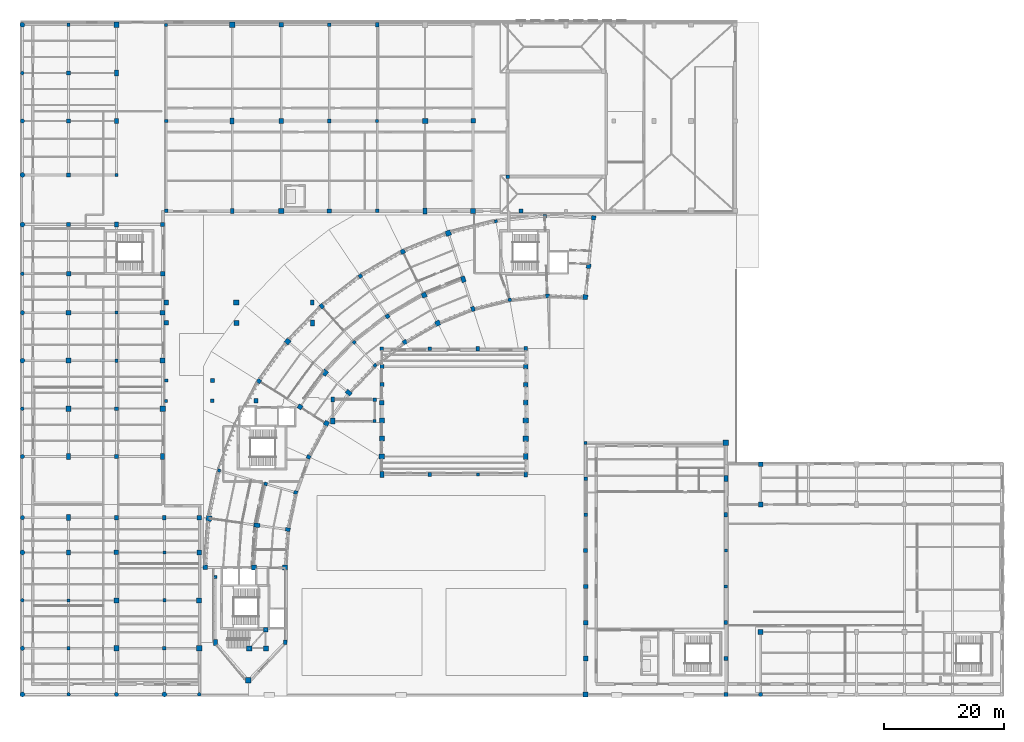
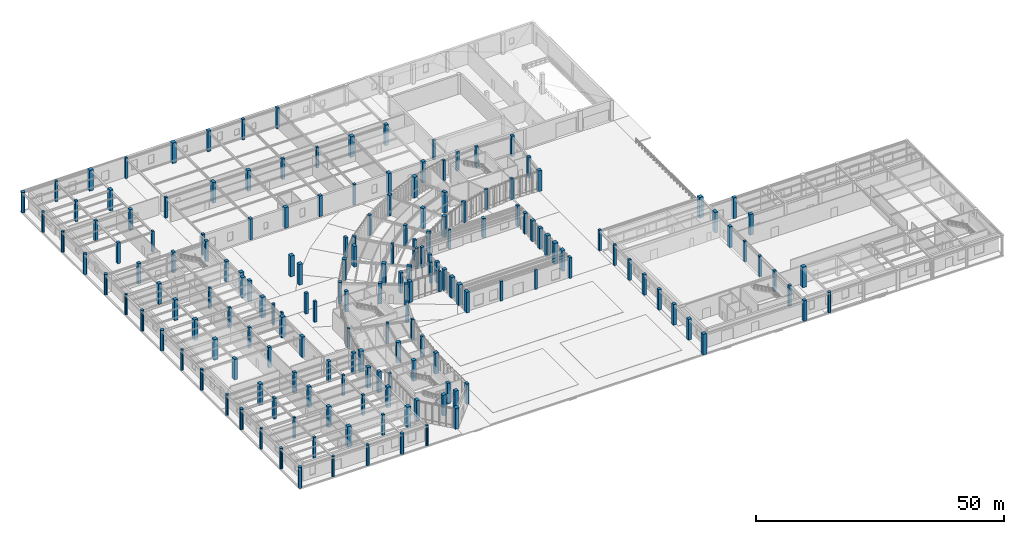
# One storey, part 1 of 68: 178 columns.
"""IFC4 building model written with IfcOpenShell, lengths in metres."""

from ifc_helpers import new_model, si_unit, direction, frame, origin, origin_2d, place, context, subcontext, project, spatial, rectangle, circle, extrude, material, material_profile, profile_set, type_object, element, save


model = new_model("IFC4")

# Units and contexts
model_context = context("Model", 3, precision=1e-05, world=origin(), true_north=direction((0.0, 1.0)))
body_context = subcontext(model_context, "Body", "Model", "MODEL_VIEW")
ifc_project = project(units=[si_unit("LENGTHUNIT", "METRE"), si_unit("AREAUNIT", "SQUARE_METRE"), si_unit("VOLUMEUNIT", "CUBIC_METRE"), si_unit("PLANEANGLEUNIT", "RADIAN"), si_unit("MASSUNIT", "GRAM", prefix="KILO"), si_unit("THERMODYNAMICTEMPERATUREUNIT", "KELVIN"), si_unit("POWERUNIT", "WATT")], contexts=[model_context])

# Site, building, storey
site_placement = place(None, origin())
site = spatial("IfcSite", under=ifc_project, at=site_placement, CompositionType="ELEMENT")
building_placement = place(site_placement, origin())
building = spatial("IfcBuilding", under=site, at=building_placement, Name="Solvatero Civic Police Headquarters", CompositionType="ELEMENT")
storey_placement = place(building_placement, origin())
storey = spatial("IfcBuildingStorey", under=building, at=storey_placement, Name="L00", CompositionType="ELEMENT", Elevation=0.0)

# Columns
ifc_material = material(Name="Concrete C40/50", Category="concrete")
ifc_material_profile_1 = material_profile(ifc_material, rectangle(XDim=0.5, YDim=0.5, at=origin_2d()), Name="RC 500x500")
ifc_profile_set_1 = profile_set([ifc_material_profile_1], Name="Concrete C40/50")
column_type_1 = type_object("IfcColumnType", Name="COL-RC-500", PredefinedType="COLUMN", material=ifc_profile_set_1)
for number, where, z_axis, x_axis, name in (
    (1, (83.8154296875, 83.759033203125, 0.0), (0.0, 0.0, 1.0), (0.984807753012, 0.173648177667, 0.0), "Column ARC-S02-OUT L00"),
    (2, (60.17529296875, 63.56591796875, 0.0), (0.0, 0.0, 1.0), (0.743144825477, 0.669130606359, 0.0), "Column ARC-S06-MID L00"),
    (3, (37.6220703125, 42.166015625, 0.0), (0.0, 0.0, 1.0), (0.275637355817, 0.961261695938, 0.0), "Column ARC-S10-OUT L00"),
    (4, (37.0, 24.39990234375, 0.0), (0.0, 0.0, 1.0), (1.0, 0.0, 0.0), "Column PROW-NW L00"),
    (5, (28.800048828125, 53.800048828125, 0.0), (0.0, 0.0, 1.0), (1.0, 0.0, 0.0), "Column SB1-W-S L00"),
    (6, (122.199951171875, 28.800048828125, 0.0), (0.0, 0.0, 1.0), (1.0, 0.0, 0.0), "Column V1-E-F5 L00"),
    (7, (98.800048828125, 46.800048828125, 0.0), (0.0, 0.0, 1.0), (1.0, 0.0, 0.0), "Column V1-W-F8 L00"),
):
    element("IfcColumn", number, at=place(storey_placement, frame(where, z_axis=z_axis, x_axis=x_axis)), inside=storey, type_object=column_type_1, Name=name, PredefinedType="COLUMN", context=body_context, shape_type="SweptSolid", body=[
        extrude(rectangle(XDim=0.5, YDim=0.5, at=origin_2d()), origin(), (0.0, 0.0, 1.0), 5.10009765625),
    ])
column_1_placement = place(storey_placement, frame((80.800048828125, 41.5, 0.0), z_axis=(0.0, 0.0, 1.0), x_axis=(1.0, 0.0, 0.0)))
element("IfcColumn", 8, at=column_1_placement, inside=storey, type_object=column_type_1, Name="Column V2-M2-Y41 L00", PredefinedType="COLUMN", context=body_context, shape_type="SweptSolid", body=[
    extrude(rectangle(XDim=0.5, YDim=0.5, at=origin_2d()), origin(), (0.0, 0.0, 1.0), 4.840087890625),
])
for number, where, z_axis, x_axis, name in (
    (9, (63.60009765625, 50.39990234375, 0.0), (0.0, 0.0, 1.0), (1.0, 0.0, 0.0), "Column V2LK-ES L00"),
    (10, (12.5, 20.5, 0.0), (0.0, 0.0, 1.0), (1.0, 0.0, 0.0), "Column V4-X2Y3 L00"),
    (11, (28.5, 28.5, 0.0), (0.0, 0.0, 1.0), (1.0, 0.0, 0.0), "Column V4-X4Y4 L00"),
    (12, (20.5, 68.5, 0.0), (0.0, 0.0, 1.0), (1.0, 0.0, 0.0), "Column V6-X3Y4 L00"),
    (13, (28.800048828125, 116.550048828125, 0.0), (0.0, 0.0, 1.0), (1.0, 0.0, 0.0), "Column V7-X1Y3 L00"),
    (14, (64.0, 100.5, 0.0), (0.0, 0.0, 1.0), (1.0, 0.0, 0.0), "Column V7-X5Y2 L00"),
    (15, (20.5, 91.5, 0.0), (0.0, 0.0, 1.0), (1.0, 0.0, 0.0), "Column V7NW-X3Y1 L00"),
):
    element("IfcColumn", number, at=place(storey_placement, frame(where, z_axis=z_axis, x_axis=x_axis)), inside=storey, type_object=column_type_1, Name=name, PredefinedType="COLUMN", context=body_context, shape_type="SweptSolid", body=[
        extrude(rectangle(XDim=0.5, YDim=0.5, at=origin_2d()), origin(), (0.0, 0.0, 1.0), 5.10009765625),
    ])
ifc_material_profile_2 = material_profile(ifc_material, rectangle(XDim=0.550048828125, YDim=0.550048828125, at=origin_2d()), Name="RC 550x550")
ifc_profile_set_2 = profile_set([ifc_material_profile_2], Name="Concrete C40/50")
column_type_2 = type_object("IfcColumnType", Name="COL-RC-550", PredefinedType="COLUMN", material=ifc_profile_set_2)
for number, where, z_axis, x_axis, name in (
    (16, (86.125, 70.660888671875, 0.0), (0.0, 0.0, 1.0), (0.984807753012, 0.173648177667, 0.0), "Column ARC-S02-IN L00"),
    (17, (63.65478515625, 59.70166015625, 0.0), (0.0, 0.0, 1.0), (0.743144825477, 0.669130606359, 0.0), "Column ARC-S06-IN L00"),
    (18, (45.408203125, 39.93359375, 0.0), (0.0, 0.0, 1.0), (0.275637355817, 0.961261695938, 0.0), "Column ARC-S10-MID L00"),
):
    element("IfcColumn", number, at=place(storey_placement, frame(where, z_axis=z_axis, x_axis=x_axis)), inside=storey, type_object=column_type_2, Name=name, PredefinedType="COLUMN", context=body_context, shape_type="SweptSolid", body=[
        extrude(rectangle(XDim=0.550048828125, YDim=0.550048828125, at=origin_2d()), origin(), (0.0, 0.0, 1.0), 5.10009765625),
    ])
column_2_placement = place(storey_placement, frame((85.800048828125, 91.199951171875, 0.0), z_axis=(0.0, 0.0, 1.0), x_axis=(1.0, 0.0, 0.0)))
element("IfcColumn", 19, at=column_2_placement, inside=storey, type_object=column_type_2, Name="Column CUSY-SW L00", PredefinedType="COLUMN", context=body_context, shape_type="SweptSolid", body=[
    extrude(rectangle(XDim=0.550048828125, YDim=0.550048828125, at=origin_2d()), origin(), (0.0, 0.0, 1.0), 4.780029296875),
])
for number, where, z_axis, x_axis, name in (
    (20, (28.800048828125, 57.199951171875, 0.0), (0.0, 0.0, 1.0), (1.0, 0.0, 0.0), "Column SB1-W-N L00"),
    (21, (122.199951171875, 22.800048828125, 0.0), (0.0, 0.0, 1.0), (1.0, 0.0, 0.0), "Column V1-E-F4 L00"),
    (22, (98.800048828125, 40.800048828125, 0.0), (0.0, 0.0, 1.0), (1.0, 0.0, 0.0), "Column V1-W-F7 L00"),
):
    element("IfcColumn", number, at=place(storey_placement, frame(where, z_axis=z_axis, x_axis=x_axis)), inside=storey, type_object=column_type_2, Name=name, PredefinedType="COLUMN", context=body_context, shape_type="SweptSolid", body=[
        extrude(rectangle(XDim=0.550048828125, YDim=0.550048828125, at=origin_2d()), origin(), (0.0, 0.0, 1.0), 5.10009765625),
    ])
column_3_placement = place(storey_placement, frame((72.800048828125, 62.5, 0.0), z_axis=(0.0, 0.0, 1.0), x_axis=(1.0, 0.0, 0.0)))
element("IfcColumn", 23, at=column_3_placement, inside=storey, type_object=column_type_2, Name="Column V2-M1-Y62 L00", PredefinedType="COLUMN", context=body_context, shape_type="SweptSolid", body=[
    extrude(rectangle(XDim=0.550048828125, YDim=0.550048828125, at=origin_2d()), origin(), (0.0, 0.0, 1.0), 4.840087890625),
])
for number, where, z_axis, x_axis, name in (
    (24, (63.60009765625, 54.0, 0.0), (0.0, 0.0, 1.0), (1.0, 0.0, 0.0), "Column V2LK-EN L00"),
    (25, (12.5, 12.5, 0.0), (0.0, 0.0, 1.0), (1.0, 0.0, 0.0), "Column V4-X2Y2 L00"),
    (26, (28.5, 20.5, 0.0), (0.0, 0.0, 1.0), (1.0, 0.0, 0.0), "Column V4-X4Y3 L00"),
    (27, (20.5, 60.5, 0.0), (0.0, 0.0, 1.0), (1.0, 0.0, 0.0), "Column V6-X3Y3 L00"),
    (28, (28.800048828125, 100.5, 0.0), (0.0, 0.0, 1.0), (1.0, 0.0, 0.0), "Column V7-X1Y2 L00"),
    (29, (64.0, 85.5, 0.0), (0.0, 0.0, 1.0), (1.0, 0.0, 0.0), "Column V7-X5Y1 L00"),
    (30, (12.5, 116.550048828125, 0.0), (0.0, 0.0, 1.0), (1.0, 0.0, 0.0), "Column V7NW-X2Y4 L00"),
):
    element("IfcColumn", number, at=place(storey_placement, frame(where, z_axis=z_axis, x_axis=x_axis)), inside=storey, type_object=column_type_2, Name=name, PredefinedType="COLUMN", context=body_context, shape_type="SweptSolid", body=[
        extrude(rectangle(XDim=0.550048828125, YDim=0.550048828125, at=origin_2d()), origin(), (0.0, 0.0, 1.0), 5.10009765625),
    ])
ifc_material_profile_3 = material_profile(ifc_material, rectangle(XDim=0.60009765625, YDim=0.60009765625, at=origin_2d()), Name="RC 600x600")
ifc_profile_set_3 = profile_set([ifc_material_profile_3], Name="Concrete C40/50")
column_type_3 = type_object("IfcColumnType", Name="COL-RC-600", PredefinedType="COLUMN", material=ifc_profile_set_3)
for number, where, z_axis, x_axis, name in (
    (31, (91.953125, 84.6142578125, 0.0), (0.0, 0.0, 1.0), (0.999390827019, 0.034899496703, 0.0), "Column ARC-S01-OUT L00"),
    (32, (61.203369140625, 74.623046875, 0.0), (0.0, 0.0, 1.0), (0.829037572555, 0.559192903471, 0.0), "Column ARC-S05-OUT L00"),
    (33, (50.40673828125, 38.500244140625, 0.0), (0.0, 0.0, 1.0), (0.275637355817, 0.961261695938, 0.0), "Column ARC-S10-IN L00"),
    (34, (36.5, 53.800048828125, 0.0), (0.0, 0.0, 1.0), (1.0, 0.0, 0.0), "Column SB1-MID-S L00"),
    (35, (122.199951171875, 16.800048828125, 0.0), (0.0, 0.0, 1.0), (1.0, 0.0, 0.0), "Column V1-E-F3 L00"),
    (36, (98.800048828125, 34.800048828125, 0.0), (0.0, 0.0, 1.0), (1.0, 0.0, 0.0), "Column V1-W-F6 L00"),
):
    element("IfcColumn", number, at=place(storey_placement, frame(where, z_axis=z_axis, x_axis=x_axis)), inside=storey, type_object=column_type_3, Name=name, PredefinedType="COLUMN", context=body_context, shape_type="SweptSolid", body=[
        extrude(rectangle(XDim=0.60009765625, YDim=0.60009765625, at=origin_2d()), origin(), (0.0, 0.0, 1.0), 5.10009765625),
    ])
column_4_placement = place(storey_placement, frame((72.800048828125, 41.5, 0.0), z_axis=(0.0, 0.0, 1.0), x_axis=(1.0, 0.0, 0.0)))
element("IfcColumn", 37, at=column_4_placement, inside=storey, type_object=column_type_3, Name="Column V2-M1-Y41 L00", PredefinedType="COLUMN", context=body_context, shape_type="SweptSolid", body=[
    extrude(rectangle(XDim=0.60009765625, YDim=0.60009765625, at=origin_2d()), origin(), (0.0, 0.0, 1.0), 4.840087890625),
])
for number, where, z_axis, x_axis, name in (
    (38, (64.800048828125, 62.5, 0.0), (0.0, 0.0, 1.0), (1.0, 0.0, 0.0), "Column V2-W-F8 L00"),
    (39, (28.5, 12.5, 0.0), (0.0, 0.0, 1.0), (1.0, 0.0, 0.0), "Column V4-X4Y2 L00"),
    (40, (20.5, 52.5, 0.0), (0.0, 0.0, 1.0), (1.0, 0.0, 0.0), "Column V6-X3Y2 L00"),
    (41, (28.800048828125, 85.5, 0.0), (0.0, 0.0, 1.0), (1.0, 0.0, 0.0), "Column V7-X1Y1 L00"),
    (42, (56.0, 116.550048828125, 0.0), (0.0, 0.0, 1.0), (1.0, 0.0, 0.0), "Column V7-X4Y3 L00"),
    (43, (12.5, 108.5, 0.0), (0.0, 0.0, 1.0), (1.0, 0.0, 0.0), "Column V7NW-X2Y3 L00"),
):
    element("IfcColumn", number, at=place(storey_placement, frame(where, z_axis=z_axis, x_axis=x_axis)), inside=storey, type_object=column_type_3, Name=name, PredefinedType="COLUMN", context=body_context, shape_type="SweptSolid", body=[
        extrude(rectangle(XDim=0.60009765625, YDim=0.60009765625, at=origin_2d()), origin(), (0.0, 0.0, 1.0), 5.10009765625),
    ])
ifc_material_profile_4 = material_profile(ifc_material, rectangle(XDim=0.60009765625, YDim=0.800048828125, at=origin_2d()), Name="RC 600x800")
ifc_profile_set_4 = profile_set([ifc_material_profile_4], Name="Concrete C40/50")
column_type_4 = type_object("IfcColumnType", Name="COL-RC-600x800", PredefinedType="COLUMN", material=ifc_profile_set_4)
for number, where, z_axis, x_axis, name in (
    (44, (79.986083984375, 69.13037109375, 0.0), (0.0, 0.0, 1.0), (0.951056516295, 0.309016994375, 0.0), "Column ARC-S03-IN L00"),
    (45, (54.755615234375, 69.58544921875, 0.0), (0.0, 0.0, 1.0), (0.743144825477, 0.669130606359, 0.0), "Column ARC-S06-OUT L00"),
    (46, (49.09130859375, 32.3115234375, 0.0), (0.0, 0.0, 1.0), (0.13917310096, 0.990268068742, 0.0), "Column ARC-S11-IN L00"),
    (47, (48.64990234375, 13.5, 0.0), (0.0, 0.0, 1.0), (1.0, 0.0, 0.0), "Column PROW-SE L00"),
    (48, (53.199951171875, 70.199951171875, 0.0), (0.0, 0.0, 1.0), (1.0, 0.0, 0.0), "Column SB2-E-N L00"),
    (49, (122.199951171875, 34.800048828125, 0.0), (0.0, 0.0, 1.0), (1.0, 0.0, 0.0), "Column V1-E-F6 L00"),
    (50, (88.800048828125, 41.5, 0.0), (0.0, 0.0, 1.0), (1.0, 0.0, 0.0), "Column V2-E-F1 L00"),
):
    element("IfcColumn", number, at=place(storey_placement, frame(where, z_axis=z_axis, x_axis=x_axis)), inside=storey, type_object=column_type_4, Name=name, PredefinedType="COLUMN", context=body_context, shape_type="SweptSolid", body=[
        extrude(rectangle(XDim=0.60009765625, YDim=0.800048828125, at=origin_2d()), origin(), (0.0, 0.0, 1.0), 5.10009765625),
    ])
column_5_placement = place(storey_placement, frame((80.800048828125, 62.5, 0.0), z_axis=(0.0, 0.0, 1.0), x_axis=(1.0, 0.0, 0.0)))
element("IfcColumn", 51, at=column_5_placement, inside=storey, type_object=column_type_4, Name="Column V2-M2-Y62 L00", PredefinedType="COLUMN", context=body_context, shape_type="SweptSolid", body=[
    extrude(rectangle(XDim=0.60009765625, YDim=0.800048828125, at=origin_2d()), origin(), (0.0, 0.0, 1.0), 4.840087890625),
])
for number, where, z_axis, x_axis, name in (
    (52, (56.60009765625, 54.0, 0.0), (0.0, 0.0, 1.0), (1.0, 0.0, 0.0), "Column V2LK-WN L00"),
    (53, (12.5, 28.5, 0.0), (0.0, 0.0, 1.0), (1.0, 0.0, 0.0), "Column V4-X2Y4 L00"),
    (54, (28.5, 34.300048828125, 0.0), (0.0, 0.0, 1.0), (1.0, 0.0, 0.0), "Column V4-X4Y5 L00"),
    (55, (20.5, 83.199951171875, 0.0), (0.0, 0.0, 1.0), (1.0, 0.0, 0.0), "Column V6-X3Y6 L00"),
    (56, (39.800048828125, 85.5, 0.0), (0.0, 0.0, 1.0), (1.0, 0.0, 0.0), "Column V7-X2Y1 L00"),
    (57, (64.0, 116.550048828125, 0.0), (0.0, 0.0, 1.0), (1.0, 0.0, 0.0), "Column V7-X5Y3 L00"),
    (58, (20.5, 100.5, 0.0), (0.0, 0.0, 1.0), (1.0, 0.0, 0.0), "Column V7NW-X3Y2 L00"),
):
    element("IfcColumn", number, at=place(storey_placement, frame(where, z_axis=z_axis, x_axis=x_axis)), inside=storey, type_object=column_type_4, Name=name, PredefinedType="COLUMN", context=body_context, shape_type="SweptSolid", body=[
        extrude(rectangle(XDim=0.60009765625, YDim=0.800048828125, at=origin_2d()), origin(), (0.0, 0.0, 1.0), 5.10009765625),
    ])
ifc_material_profile_5 = material_profile(ifc_material, rectangle(XDim=0.64990234375, YDim=0.64990234375, at=origin_2d()), Name="RC 650x650")
ifc_profile_set_5 = profile_set([ifc_material_profile_5], Name="Concrete C40/50")
column_type_5 = type_object("IfcColumnType", Name="COL-RC-650", PredefinedType="COLUMN", material=ifc_profile_set_5)
for number, where, z_axis, x_axis, name in (
    (59, (92.417236328125, 71.322509765625, 0.0), (0.0, 0.0, 1.0), (0.999390827019, 0.034899496703, 0.0), "Column ARC-S01-IN L00"),
    (60, (65.73291015625, 67.90771484375, 0.0), (0.0, 0.0, 1.0), (0.829037572555, 0.559192903471, 0.0), "Column ARC-S05-MID L00"),
    (61, (52.57080078125, 44.445556640625, 0.0), (0.0, 0.0, 1.0), (0.406736643076, 0.913545457643, 0.0), "Column ARC-S09-IN L00"),
    (62, (36.5, 57.199951171875, 0.0), (0.0, 0.0, 1.0), (1.0, 0.0, 0.0), "Column SB1-MID-N L00"),
    (63, (122.199951171875, 10.800048828125, 0.0), (0.0, 0.0, 1.0), (1.0, 0.0, 0.0), "Column V1-E-F2 L00"),
    (64, (98.800048828125, 28.800048828125, 0.0), (0.0, 0.0, 1.0), (1.0, 0.0, 0.0), "Column V1-W-F5 L00"),
    (65, (88.800048828125, 62.5, 0.0), (0.0, 0.0, 1.0), (1.0, 0.0, 0.0), "Column V2-E-F8 L00"),
    (66, (64.800048828125, 59.5, 0.0), (0.0, 0.0, 1.0), (1.0, 0.0, 0.0), "Column V2-W-F7 L00"),
    (67, (20.5, 44.5, 0.0), (0.0, 0.0, 1.0), (1.0, 0.0, 0.0), "Column V6-X3Y1 L00"),
    (68, (56.0, 100.5, 0.0), (0.0, 0.0, 1.0), (1.0, 0.0, 0.0), "Column V7-X4Y2 L00"),
):
    element("IfcColumn", number, at=place(storey_placement, frame(where, z_axis=z_axis, x_axis=x_axis)), inside=storey, type_object=column_type_5, Name=name, PredefinedType="COLUMN", context=body_context, shape_type="SweptSolid", body=[
        extrude(rectangle(XDim=0.64990234375, YDim=0.64990234375, at=origin_2d()), origin(), (0.0, 0.0, 1.0), 5.10009765625),
    ])
column_6_placement = place(storey_placement, frame((88.0, 85.5, 0.0), z_axis=(0.0, 0.0, 1.0), x_axis=(1.0, 0.0, 0.0)))
element("IfcColumn", 69, at=column_6_placement, inside=storey, type_object=column_type_5, Name="Column V7-X8Y1 L00", PredefinedType="COLUMN", context=body_context, shape_type="SweptSolid", body=[
    extrude(rectangle(XDim=0.64990234375, YDim=0.64990234375, at=origin_2d()), origin(), (0.0, 0.0, 1.0), 4.840087890625),
])
column_7_placement = place(storey_placement, frame((12.5, 100.5, 0.0), z_axis=(0.0, 0.0, 1.0), x_axis=(1.0, 0.0, 0.0)))
element("IfcColumn", 70, at=column_7_placement, inside=storey, type_object=column_type_5, Name="Column V7NW-X2Y2 L00", PredefinedType="COLUMN", context=body_context, shape_type="SweptSolid", body=[
    extrude(rectangle(XDim=0.64990234375, YDim=0.64990234375, at=origin_2d()), origin(), (0.0, 0.0, 1.0), 5.10009765625),
])
ifc_material_profile_6 = material_profile(ifc_material, rectangle(XDim=0.699951171875, YDim=0.699951171875, at=origin_2d()), Name="RC 700x700")
ifc_profile_set_6 = profile_set([ifc_material_profile_6], Name="Concrete C40/50")
column_type_6 = type_object("IfcColumnType", Name="COL-RC-700", PredefinedType="COLUMN", material=ifc_profile_set_6)
for number, where, z_axis, x_axis, name in (
    (71, (100.130615234375, 84.32861328125, 0.0), (0.0, 0.0, 1.0), (0.994521895368, -0.104528463268, 0.0), "Column ARC-S00-OUT L00"),
    (72, (68.640625, 63.596923828125, 0.0), (0.0, 0.0, 1.0), (0.829037572555, 0.559192903471, 0.0), "Column ARC-S05-IN L00"),
    (73, (44.261962890625, 57.079833984375, 0.0), (0.0, 0.0, 1.0), (0.529919264233, 0.848048096156, 0.0), "Column ARC-S08-OUT L00"),
    (74, (43.800048828125, 53.800048828125, 0.0), (0.0, 0.0, 1.0), (1.0, 0.0, 0.0), "Column SB1-E-S L00"),
    (75, (122.199951171875, 4.800048828125, 0.0), (0.0, 0.0, 1.0), (1.0, 0.0, 0.0), "Column V1-E-F1 L00"),
    (76, (98.800048828125, 22.800048828125, 0.0), (0.0, 0.0, 1.0), (1.0, 0.0, 0.0), "Column V1-W-F4 L00"),
    (77, (88.800048828125, 59.5, 0.0), (0.0, 0.0, 1.0), (1.0, 0.0, 0.0), "Column V2-E-F7 L00"),
    (78, (64.800048828125, 56.5, 0.0), (0.0, 0.0, 1.0), (1.0, 0.0, 0.0), "Column V2-W-F6 L00"),
    (79, (20.5, 34.300048828125, 0.0), (0.0, 0.0, 1.0), (1.0, 0.0, 0.0), "Column V4-X3Y5 L00"),
    (80, (12.5, 83.199951171875, 0.0), (0.0, 0.0, 1.0), (1.0, 0.0, 0.0), "Column V6-X2Y6 L00"),
    (81, (28.199951171875, 83.199951171875, 0.0), (0.0, 0.0, 1.0), (1.0, 0.0, 0.0), "Column V6-X4Y6 L00"),
    (82, (56.0, 85.5, 0.0), (0.0, 0.0, 1.0), (1.0, 0.0, 0.0), "Column V7-X4Y1 L00"),
    (83, (12.5, 91.5, 0.0), (0.0, 0.0, 1.0), (1.0, 0.0, 0.0), "Column V7NW-X2Y1 L00"),
):
    element("IfcColumn", number, at=place(storey_placement, frame(where, z_axis=z_axis, x_axis=x_axis)), inside=storey, type_object=column_type_6, Name=name, PredefinedType="COLUMN", context=body_context, shape_type="SweptSolid", body=[
        extrude(rectangle(XDim=0.699951171875, YDim=0.699951171875, at=origin_2d()), origin(), (0.0, 0.0, 1.0), 5.10009765625),
    ])
ifc_material_profile_7 = material_profile(ifc_material, rectangle(XDim=0.699951171875, YDim=1.0, at=origin_2d()), Name="RC 700x1000")
ifc_profile_set_7 = profile_set([ifc_material_profile_7], Name="Concrete C40/50")
column_type_7 = type_object("IfcColumnType", Name="COL-RC-700x1000", PredefinedType="COLUMN", material=ifc_profile_set_7)
for number, where, z_axis, x_axis, name in (
    (84, (78.379150390625, 74.075927734375, 0.0), (0.0, 0.0, 1.0), (0.951056516295, 0.309016994375, 0.0), "Column ARC-S03-MID L00"),
    (85, (59.260009765625, 55.150390625, 0.0), (0.0, 0.0, 1.0), (0.642787609687, 0.766044443119, 0.0), "Column ARC-S07-IN L00"),
    (86, (43.94189453125, 33.03515625, 0.0), (0.0, 0.0, 1.0), (0.13917310096, 0.990268068742, 0.0), "Column ARC-S11-MID L00"),
    (87, (37.0, 13.5, 0.0), (0.0, 0.0, 1.0), (1.0, 0.0, 0.0), "Column PROW-SW L00"),
    (88, (53.199951171875, 66.800048828125, 0.0), (0.0, 0.0, 1.0), (1.0, 0.0, 0.0), "Column SB2-E-S L00"),
    (89, (122.199951171875, 40.800048828125, 0.0), (0.0, 0.0, 1.0), (1.0, 0.0, 0.0), "Column V1-E-F7 L00"),
    (90, (88.800048828125, 44.5, 0.0), (0.0, 0.0, 1.0), (1.0, 0.0, 0.0), "Column V2-E-F2 L00"),
    (91, (64.800048828125, 41.5, 0.0), (0.0, 0.0, 1.0), (1.0, 0.0, 0.0), "Column V2-W-F1 L00"),
    (92, (56.60009765625, 50.39990234375, 0.0), (0.0, 0.0, 1.0), (1.0, 0.0, 0.0), "Column V2LK-WS L00"),
    (93, (12.5, 34.300048828125, 0.0), (0.0, 0.0, 1.0), (1.0, 0.0, 0.0), "Column V4-X2Y5 L00"),
    (94, (12.5, 44.5, 0.0), (0.0, 0.0, 1.0), (1.0, 0.0, 0.0), "Column V6-X2Y1 L00"),
    (95, (28.199951171875, 44.5, 0.0), (0.0, 0.0, 1.0), (1.0, 0.0, 0.0), "Column V6-X4Y1 L00"),
    (96, (39.800048828125, 100.5, 0.0), (0.0, 0.0, 1.0), (1.0, 0.0, 0.0), "Column V7-X2Y2 L00"),
    (97, (72.0, 85.5, 0.0), (0.0, 0.0, 1.0), (1.0, 0.0, 0.0), "Column V7-X6Y1 L00"),
    (98, (20.5, 108.5, 0.0), (0.0, 0.0, 1.0), (1.0, 0.0, 0.0), "Column V7NW-X3Y3 L00"),
):
    element("IfcColumn", number, at=place(storey_placement, frame(where, z_axis=z_axis, x_axis=x_axis)), inside=storey, type_object=column_type_7, Name=name, PredefinedType="COLUMN", context=body_context, shape_type="SweptSolid", body=[
        extrude(rectangle(XDim=0.699951171875, YDim=1.0, at=origin_2d()), origin(), (0.0, 0.0, 1.0), 5.10009765625),
    ])
ifc_material_profile_8 = material_profile(ifc_material, rectangle(XDim=0.75, YDim=0.75, at=origin_2d()), Name="RC 750x750")
ifc_profile_set_8 = profile_set([ifc_material_profile_8], Name="Concrete C40/50")
column_type_8 = type_object("IfcColumnType", Name="COL-RC-750", PredefinedType="COLUMN", material=ifc_profile_set_8)
for number, where, z_axis, x_axis, name in (
    (99, (99.283935546875, 76.273193359375, 0.0), (0.0, 0.0, 1.0), (0.994521895368, -0.104528463268, 0.0), "Column ARC-S00-MID L00"),
    (100, (68.28955078125, 78.71435546875, 0.0), (0.0, 0.0, 1.0), (0.898794046299, 0.438371146789, 0.0), "Column ARC-S04-OUT L00"),
    (101, (51.131103515625, 52.787353515625, 0.0), (0.0, 0.0, 1.0), (0.529919264233, 0.848048096156, 0.0), "Column ARC-S08-MID L00"),
    (102, (35.35009765625, 26.0, 0.0), (0.0, 0.0, 1.0), (0.0, 1.0, 0.0), "Column ARC-S12-OUT L00"),
    (103, (45.449951171875, 15.60009765625, 0.0), (0.0, 0.0, 1.0), (1.0, 0.0, 0.0), "Column PRWS3 L00"),
    (104, (28.800048828125, 66.800048828125, 0.0), (0.0, 0.0, 1.0), (1.0, 0.0, 0.0), "Column SB2-W-S L00"),
    (105, (98.800048828125, 16.800048828125, 0.0), (0.0, 0.0, 1.0), (1.0, 0.0, 0.0), "Column V1-W-F3 L00"),
    (106, (88.800048828125, 56.5, 0.0), (0.0, 0.0, 1.0), (1.0, 0.0, 0.0), "Column V2-E-F6 L00"),
    (107, (64.800048828125, 53.5, 0.0), (0.0, 0.0, 1.0), (1.0, 0.0, 0.0), "Column V2-W-F5 L00"),
    (108, (128.0, 43.199951171875, 0.0), (0.0, 0.0, 1.0), (1.0, 0.0, 0.0), "Column V3-X1Y4 L00"),
    (109, (20.5, 28.5, 0.0), (0.0, 0.0, 1.0), (1.0, 0.0, 0.0), "Column V4-X3Y4 L00"),
    (110, (34.300048828125, 34.300048828125, 0.0), (0.0, 0.0, 1.0), (1.0, 0.0, 0.0), "Column V4-X5Y5 L00"),
    (111, (12.5, 75.0, 0.0), (0.0, 0.0, 1.0), (1.0, 0.0, 0.0), "Column V6-X2Y5 L00"),
    (112, (28.199951171875, 75.0, 0.0), (0.0, 0.0, 1.0), (1.0, 0.0, 0.0), "Column V6-X4Y5 L00"),
    (113, (48.0, 116.550048828125, 0.0), (0.0, 0.0, 1.0), (1.0, 0.0, 0.0), "Column V7-X3Y3 L00"),
    (114, (80.0, 100.5, 0.0), (0.0, 0.0, 1.0), (1.0, 0.0, 0.0), "Column V7-X7Y2 L00"),
):
    element("IfcColumn", number, at=place(storey_placement, frame(where, z_axis=z_axis, x_axis=x_axis)), inside=storey, type_object=column_type_8, Name=name, PredefinedType="COLUMN", context=body_context, shape_type="SweptSolid", body=[
        extrude(rectangle(XDim=0.75, YDim=0.75, at=origin_2d()), origin(), (0.0, 0.0, 1.0), 5.10009765625),
    ])
ifc_material_profile_9 = material_profile(ifc_material, rectangle(XDim=0.800048828125, YDim=0.800048828125, at=origin_2d()), Name="RC 800x800")
ifc_profile_set_9 = profile_set([ifc_material_profile_9], Name="Concrete C40/50")
column_type_9 = type_object("IfcColumnType", Name="COL-RC-800", PredefinedType="COLUMN", material=ifc_profile_set_9)
for number, where, z_axis, x_axis, name in (
    (115, (98.740478515625, 71.1015625, 0.0), (0.0, 0.0, 1.0), (0.994521895368, -0.104528463268, 0.0), "Column ARC-S00-IN L00"),
    (116, (71.84033203125, 71.43408203125, 0.0), (0.0, 0.0, 1.0), (0.898794046299, 0.438371146789, 0.0), "Column ARC-S04-MID L00"),
    (117, (55.541015625, 50.03173828125, 0.0), (0.0, 0.0, 1.0), (0.529919264233, 0.848048096156, 0.0), "Column ARC-S08-IN L00"),
    (118, (43.449951171875, 26.0, 0.0), (0.0, 0.0, 1.0), (0.0, 1.0, 0.0), "Column ARC-S12-MID L00"),
    (119, (45.449951171875, 12.449951171875, 0.0), (0.0, 0.0, 1.0), (1.0, 0.0, 0.0), "Column PRWS2 L00"),
    (120, (28.800048828125, 70.199951171875, 0.0), (0.0, 0.0, 1.0), (1.0, 0.0, 0.0), "Column SB2-W-N L00"),
    (121, (98.800048828125, 10.800048828125, 0.0), (0.0, 0.0, 1.0), (1.0, 0.0, 0.0), "Column V1-W-F2 L00"),
    (122, (88.800048828125, 53.5, 0.0), (0.0, 0.0, 1.0), (1.0, 0.0, 0.0), "Column V2-E-F5 L00"),
    (123, (64.800048828125, 50.5, 0.0), (0.0, 0.0, 1.0), (1.0, 0.0, 0.0), "Column V2-W-F4 L00"),
    (124, (128.0, 36.5, 0.0), (0.0, 0.0, 1.0), (1.0, 0.0, 0.0), "Column V3-X1Y3 L00"),
    (125, (20.5, 20.5, 0.0), (0.0, 0.0, 1.0), (1.0, 0.0, 0.0), "Column V4-X3Y3 L00"),
    (126, (34.300048828125, 28.5, 0.0), (0.0, 0.0, 1.0), (1.0, 0.0, 0.0), "Column V4-X5Y4 L00"),
    (127, (12.5, 68.5, 0.0), (0.0, 0.0, 1.0), (1.0, 0.0, 0.0), "Column V6-X2Y4 L00"),
    (128, (28.199951171875, 68.5, 0.0), (0.0, 0.0, 1.0), (1.0, 0.0, 0.0), "Column V6-X4Y4 L00"),
    (129, (48.0, 100.5, 0.0), (0.0, 0.0, 1.0), (1.0, 0.0, 0.0), "Column V7-X3Y2 L00"),
    (130, (80.0, 85.5, 0.0), (0.0, 0.0, 1.0), (1.0, 0.0, 0.0), "Column V7-X7Y1 L00"),
):
    element("IfcColumn", number, at=place(storey_placement, frame(where, z_axis=z_axis, x_axis=x_axis)), inside=storey, type_object=column_type_9, Name=name, PredefinedType="COLUMN", context=body_context, shape_type="SweptSolid", body=[
        extrude(rectangle(XDim=0.800048828125, YDim=0.800048828125, at=origin_2d()), origin(), (0.0, 0.0, 1.0), 5.10009765625),
    ])
ifc_material_profile_10 = material_profile(ifc_material, rectangle(XDim=0.85009765625, YDim=0.85009765625, at=origin_2d()), Name="RC 850x850")
ifc_profile_set_10 = profile_set([ifc_material_profile_10], Name="Concrete C40/50")
column_type_10 = type_object("IfcColumnType", Name="COL-RC-850", PredefinedType="COLUMN", material=ifc_profile_set_10)
for number, where, z_axis, x_axis, name in (
    (131, (74.119873046875, 66.76025390625, 0.0), (0.0, 0.0, 1.0), (0.898794046299, 0.438371146789, 0.0), "Column ARC-S04-IN L00"),
    (132, (49.071533203125, 63.699462890625, 0.0), (0.0, 0.0, 1.0), (0.642787609687, 0.766044443119, 0.0), "Column ARC-S07-OUT L00"),
    (133, (48.64990234375, 26.0, 0.0), (0.0, 0.0, 1.0), (0.0, 1.0, 0.0), "Column ARC-S12-IN L00"),
    (134, (42.64990234375, 12.449951171875, 0.0), (0.0, 0.0, 1.0), (1.0, 0.0, 0.0), "Column PRWS1 L00"),
    (135, (40.5, 66.800048828125, 0.0), (0.0, 0.0, 1.0), (1.0, 0.0, 0.0), "Column SB2-MID-S L00"),
    (136, (98.800048828125, 4.800048828125, 0.0), (0.0, 0.0, 1.0), (1.0, 0.0, 0.0), "Column V1-W-F1 L00"),
    (137, (88.800048828125, 50.5, 0.0), (0.0, 0.0, 1.0), (1.0, 0.0, 0.0), "Column V2-E-F4 L00"),
    (138, (64.800048828125, 47.5, 0.0), (0.0, 0.0, 1.0), (1.0, 0.0, 0.0), "Column V2-W-F3 L00"),
    (139, (128.0, 15.199951171875, 0.0), (0.0, 0.0, 1.0), (1.0, 0.0, 0.0), "Column V3-X1Y2 L00"),
    (140, (20.5, 12.5, 0.0), (0.0, 0.0, 1.0), (1.0, 0.0, 0.0), "Column V4-X3Y2 L00"),
    (141, (34.300048828125, 20.5, 0.0), (0.0, 0.0, 1.0), (1.0, 0.0, 0.0), "Column V4-X5Y3 L00"),
    (142, (12.5, 60.5, 0.0), (0.0, 0.0, 1.0), (1.0, 0.0, 0.0), "Column V6-X2Y3 L00"),
    (143, (28.199951171875, 60.5, 0.0), (0.0, 0.0, 1.0), (1.0, 0.0, 0.0), "Column V6-X4Y3 L00"),
    (144, (48.0, 85.5, 0.0), (0.0, 0.0, 1.0), (1.0, 0.0, 0.0), "Column V7-X3Y1 L00"),
):
    element("IfcColumn", number, at=place(storey_placement, frame(where, z_axis=z_axis, x_axis=x_axis)), inside=storey, type_object=column_type_10, Name=name, PredefinedType="COLUMN", context=body_context, shape_type="SweptSolid", body=[
        extrude(rectangle(XDim=0.85009765625, YDim=0.85009765625, at=origin_2d()), origin(), (0.0, 0.0, 1.0), 5.10009765625),
    ])
ifc_material_profile_11 = material_profile(ifc_material, rectangle(XDim=0.89990234375, YDim=0.89990234375, at=origin_2d()), Name="RC 900x900")
ifc_profile_set_11 = profile_set([ifc_material_profile_11], Name="Concrete C40/50")
column_type_11 = type_object("IfcColumnType", Name="COL-RC-900", PredefinedType="COLUMN", material=ifc_profile_set_11)
for number, where, z_axis, x_axis, name in (
    (145, (75.876220703125, 81.779541015625, 0.0), (0.0, 0.0, 1.0), (0.951056516295, 0.309016994375, 0.0), "Column ARC-S03-OUT L00"),
    (146, (55.276611328125, 58.492919921875, 0.0), (0.0, 0.0, 1.0), (0.642787609687, 0.766044443119, 0.0), "Column ARC-S07-MID L00"),
    (147, (35.9208984375, 34.16259765625, 0.0), (0.0, 0.0, 1.0), (0.13917310096, 0.990268068742, 0.0), "Column ARC-S11-OUT L00"),
    (148, (42.5, 7.199951171875, 0.0), (0.0, 0.0, 1.0), (1.0, 0.0, 0.0), "Column PROW-TIP L00"),
    (149, (40.5, 70.199951171875, 0.0), (0.0, 0.0, 1.0), (1.0, 0.0, 0.0), "Column SB2-MID-N L00"),
    (150, (122.199951171875, 46.800048828125, 0.0), (0.0, 0.0, 1.0), (1.0, 0.0, 0.0), "Column V1-E-F8 L00"),
    (151, (88.800048828125, 47.5, 0.0), (0.0, 0.0, 1.0), (1.0, 0.0, 0.0), "Column V2-E-F3 L00"),
    (152, (64.800048828125, 44.5, 0.0), (0.0, 0.0, 1.0), (1.0, 0.0, 0.0), "Column V2-W-F2 L00"),
    (153, (34.300048828125, 12.5, 0.0), (0.0, 0.0, 1.0), (1.0, 0.0, 0.0), "Column V4-X5Y2 L00"),
    (154, (12.5, 52.5, 0.0), (0.0, 0.0, 1.0), (1.0, 0.0, 0.0), "Column V6-X2Y2 L00"),
    (155, (28.199951171875, 52.5, 0.0), (0.0, 0.0, 1.0), (1.0, 0.0, 0.0), "Column V6-X4Y2 L00"),
    (156, (39.800048828125, 116.550048828125, 0.0), (0.0, 0.0, 1.0), (1.0, 0.0, 0.0), "Column V7-X2Y3 L00"),
    (157, (72.0, 100.5, 0.0), (0.0, 0.0, 1.0), (1.0, 0.0, 0.0), "Column V7-X6Y2 L00"),
    (158, (20.5, 116.550048828125, 0.0), (0.0, 0.0, 1.0), (1.0, 0.0, 0.0), "Column V7NW-X3Y4 L00"),
):
    element("IfcColumn", number, at=place(storey_placement, frame(where, z_axis=z_axis, x_axis=x_axis)), inside=storey, type_object=column_type_11, Name=name, PredefinedType="COLUMN", context=body_context, shape_type="SweptSolid", body=[
        extrude(rectangle(XDim=0.89990234375, YDim=0.89990234375, at=origin_2d()), origin(), (0.0, 0.0, 1.0), 5.10009765625),
    ])
ifc_material_profile_12 = material_profile(ifc_material, circle(Radius=0.300048828125, at=origin_2d()), Name="RC COL D600")
ifc_profile_set_12 = profile_set([ifc_material_profile_12], Name="Concrete C40/50")
column_type_12 = type_object("IfcColumnType", Name="COL-RC-D600", PredefinedType="COLUMN", material=ifc_profile_set_12)
for number, where, z_axis, x_axis, name in (
    (159, (4.800048828125, 20.5, 0.0), (0.0, 0.0, 1.0), (1.0, 0.0, 0.0), "Column V4-X1Y3 L00"),
    (160, (12.5, 4.800048828125, 0.0), (0.0, 0.0, 1.0), (1.0, 0.0, 0.0), "Column V4-X2Y1 L00"),
    (161, (34.300048828125, 4.800048828125, 0.0), (0.0, 0.0, 1.0), (1.0, 0.0, 0.0), "Column V4-X5Y1 L00"),
    (162, (4.800048828125, 52.5, 0.0), (0.0, 0.0, 1.0), (1.0, 0.0, 0.0), "Column V6-X1Y2 L00"),
    (163, (4.800048828125, 75.0, 0.0), (0.0, 0.0, 1.0), (1.0, 0.0, 0.0), "Column V6-X1Y5 L00"),
    (164, (4.800048828125, 108.5, 0.0), (0.0, 0.0, 1.0), (1.0, 0.0, 0.0), "Column V7NW-X1Y3 L00"),
):
    element("IfcColumn", number, at=place(storey_placement, frame(where, z_axis=z_axis, x_axis=x_axis)), inside=storey, type_object=column_type_12, Name=name, PredefinedType="COLUMN", context=body_context, shape_type="SweptSolid", body=[
        extrude(circle(Radius=0.300048828125, at=origin_2d()), origin(), (0.0, 0.0, 1.0), 5.10009765625),
    ])
ifc_material_profile_13 = material_profile(ifc_material, circle(Radius=0.35009765625, at=origin_2d()), Name="RC COL D700")
ifc_profile_set_13 = profile_set([ifc_material_profile_13], Name="Concrete C40/50")
column_type_13 = type_object("IfcColumnType", Name="COL-RC-D700", PredefinedType="COLUMN", material=ifc_profile_set_13)
for number, where, z_axis, x_axis, name in (
    (165, (128.0, 4.800048828125, 0.0), (0.0, 0.0, 1.0), (1.0, 0.0, 0.0), "Column V3-X1Y1 L00"),
    (166, (4.800048828125, 12.5, 0.0), (0.0, 0.0, 1.0), (1.0, 0.0, 0.0), "Column V4-X1Y2 L00"),
    (167, (4.800048828125, 34.300048828125, 0.0), (0.0, 0.0, 1.0), (1.0, 0.0, 0.0), "Column V4-X1Y5 L00"),
    (168, (20.5, 4.800048828125, 0.0), (0.0, 0.0, 1.0), (1.0, 0.0, 0.0), "Column V4-X3Y1 L00"),
    (169, (4.800048828125, 44.5, 0.0), (0.0, 0.0, 1.0), (1.0, 0.0, 0.0), "Column V6-X1Y1 L00"),
    (170, (4.800048828125, 68.5, 0.0), (0.0, 0.0, 1.0), (1.0, 0.0, 0.0), "Column V6-X1Y4 L00"),
    (171, (4.800048828125, 100.5, 0.0), (0.0, 0.0, 1.0), (1.0, 0.0, 0.0), "Column V7NW-X1Y2 L00"),
):
    element("IfcColumn", number, at=place(storey_placement, frame(where, z_axis=z_axis, x_axis=x_axis)), inside=storey, type_object=column_type_13, Name=name, PredefinedType="COLUMN", context=body_context, shape_type="SweptSolid", body=[
        extrude(circle(Radius=0.35009765625, at=origin_2d()), origin(), (0.0, 0.0, 1.0), 5.10009765625),
    ])
ifc_material_profile_14 = material_profile(ifc_material, circle(Radius=0.39990234375, at=origin_2d()), Name="RC COL D800")
ifc_profile_set_14 = profile_set([ifc_material_profile_14], Name="Concrete C40/50")
column_type_14 = type_object("IfcColumnType", Name="COL-RC-D800", PredefinedType="COLUMN", material=ifc_profile_set_14)
for number, where, z_axis, x_axis, name in (
    (172, (4.800048828125, 4.800048828125, 0.0), (0.0, 0.0, 1.0), (1.0, 0.0, 0.0), "Column V4-X1Y1 L00"),
    (173, (4.800048828125, 28.5, 0.0), (0.0, 0.0, 1.0), (1.0, 0.0, 0.0), "Column V4-X1Y4 L00"),
    (174, (28.5, 4.800048828125, 0.0), (0.0, 0.0, 1.0), (1.0, 0.0, 0.0), "Column V4-X4Y1 L00"),
    (175, (4.800048828125, 60.5, 0.0), (0.0, 0.0, 1.0), (1.0, 0.0, 0.0), "Column V6-X1Y3 L00"),
    (176, (4.800048828125, 83.199951171875, 0.0), (0.0, 0.0, 1.0), (1.0, 0.0, 0.0), "Column V6-X1Y6 L00"),
    (177, (4.800048828125, 91.5, 0.0), (0.0, 0.0, 1.0), (1.0, 0.0, 0.0), "Column V7NW-X1Y1 L00"),
    (178, (4.800048828125, 116.550048828125, 0.0), (0.0, 0.0, 1.0), (1.0, 0.0, 0.0), "Column V7NW-X1Y4 L00"),
):
    element("IfcColumn", number, at=place(storey_placement, frame(where, z_axis=z_axis, x_axis=x_axis)), inside=storey, type_object=column_type_14, Name=name, PredefinedType="COLUMN", context=body_context, shape_type="SweptSolid", body=[
        extrude(circle(Radius=0.39990234375, at=origin_2d()), origin(), (0.0, 0.0, 1.0), 5.10009765625),
    ])

save(model, "model.ifc")
